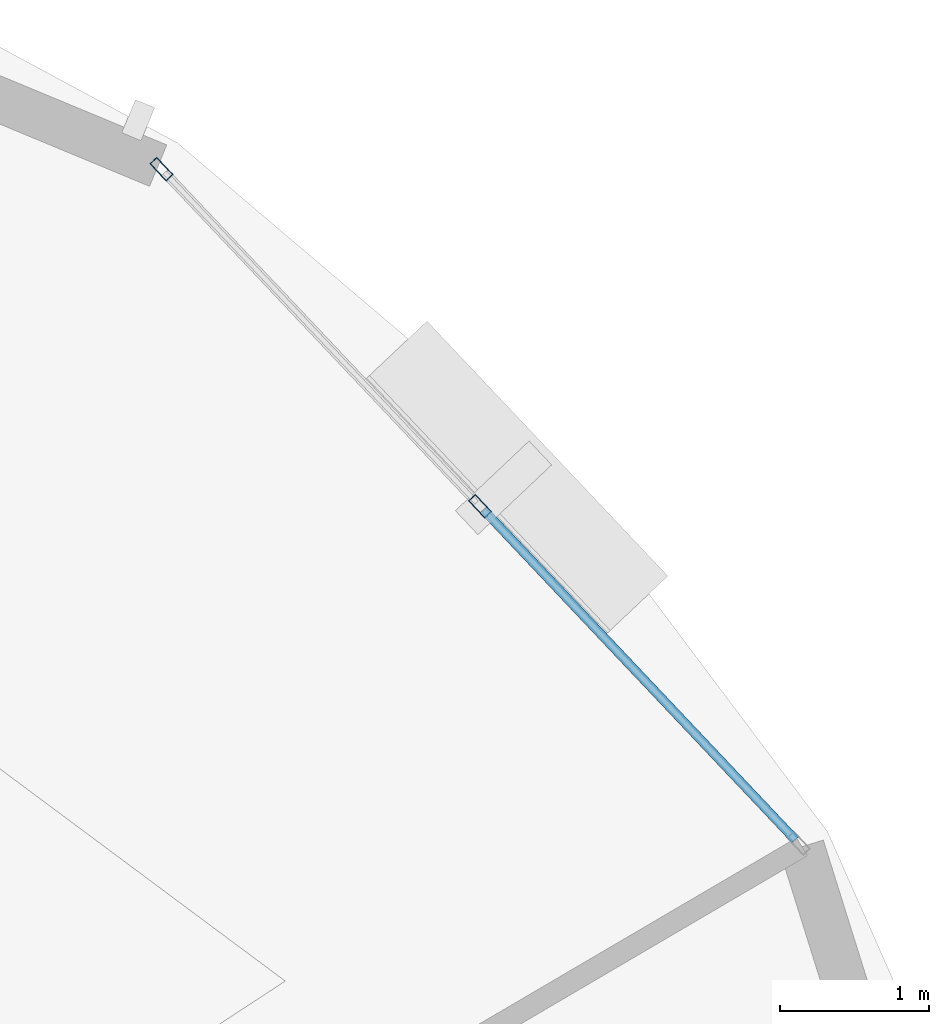
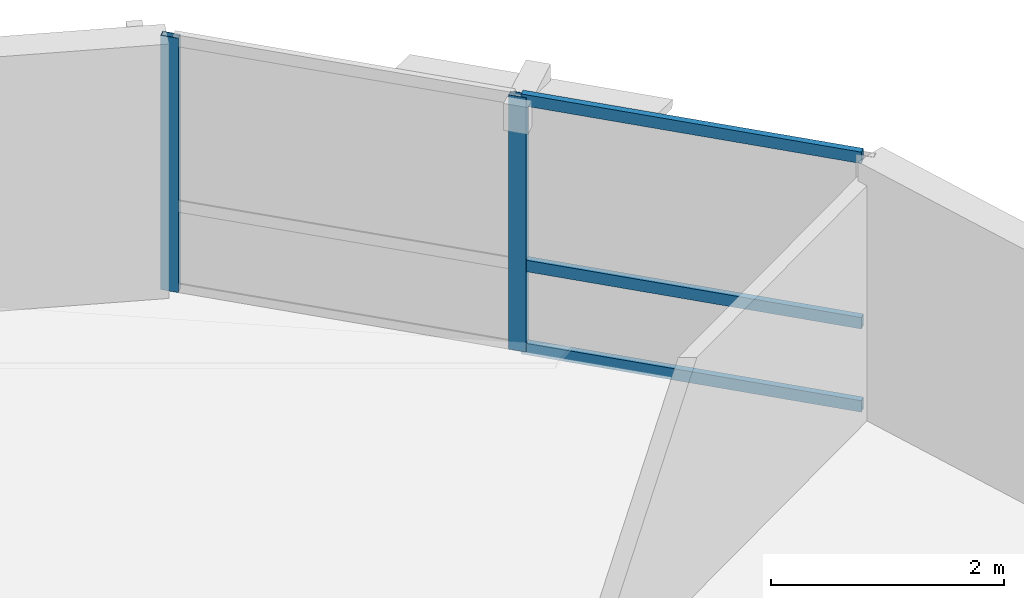
# One storey, part 8 of 14: 5 members, 1 element without a shape of its own.
"""IFC4 building model written with IfcOpenShell, lengths in metres."""

from ifc_helpers import new_model, si_unit, direction, frame, origin, origin_2d, place, context, subcontext, project, spatial, hollow_rectangle, extrude, material, layer, layer_set, material_profile, profile_set, type_object, element, aggregate, save


model = new_model("IFC4")

# Units and contexts
model_context = context("Model", 3, precision=1e-05, world=origin(), true_north=direction((0.0, 1.0)))
body_context = subcontext(model_context, "Body", "Model", "MODEL_VIEW")
ifc_project = project(units=[si_unit("LENGTHUNIT", "METRE"), si_unit("AREAUNIT", "SQUARE_METRE"), si_unit("VOLUMEUNIT", "CUBIC_METRE"), si_unit("PLANEANGLEUNIT", "RADIAN"), si_unit("MASSUNIT", "GRAM", prefix="KILO"), si_unit("THERMODYNAMICTEMPERATUREUNIT", "KELVIN"), si_unit("POWERUNIT", "WATT")], contexts=[model_context])

# Site, building, storey
site_placement = place(None, origin())
site = spatial("IfcSite", under=ifc_project, at=site_placement, CompositionType="ELEMENT")
building_placement = place(site_placement, origin())
building = spatial("IfcBuilding", under=site, at=building_placement, Name="Ocrelia Relay Tower", CompositionType="ELEMENT")
storey_placement = place(building_placement, frame((0.0, 0.0, 162.800048828125)))
storey = spatial("IfcBuildingStorey", under=building, at=storey_placement, Name="L38", CompositionType="ELEMENT", Elevation=162.800048828125)

# Curtain wall, members
ifc_material_1 = material(Name="Aluminium and solar-control low-E glass", Category="aluminium")
ifc_layer = layer(ifc_material_1, 0.179931640625, Name="Aluminium and solar-control low-E glass")
ifc_layer_set = layer_set([ifc_layer], Name="Aluminium and solar-control low-E glass")
curtain_wall_type = type_object("IfcCurtainWallType", Name="CW-SYS-Z3-CLOU", PredefinedType="NOTDEFINED", material=ifc_layer_set)
curtain_wall_placement = place(storey_placement, origin())
curtain_wall = element("IfcCurtainWall", 1, at=curtain_wall_placement, inside=storey, type_object=curtain_wall_type, Name="L38 Elliptical Tower Curtain Wall Bay 01", PredefinedType="NOTDEFINED")
ifc_material_2 = material(Name="Anodised bronze aluminium", Category="aluminium")
ifc_material_profile_1 = material_profile(ifc_material_2, hollow_rectangle(XDim=0.06494140625, YDim=0.159912109375, WallThickness=0.0048828125, at=origin_2d()), Name="CW-MUL-160x65")
ifc_profile_set_1 = profile_set([ifc_material_profile_1], Name="Anodised bronze aluminium")
member_type_1 = type_object("IfcMemberType", Name="CW-SYS-Z3-CLOU-MUL", PredefinedType="MULLION", material=ifc_profile_set_1)
member_1_placement = place(storey_placement, frame((52.025146484375, 40.124267578125, 0.0), z_axis=(0.0, 0.0, 1.0), x_axis=(-0.726807863727, -0.686840832526, 0.0)))
member_1 = element("IfcMember", 2, at=member_1_placement, type_object=member_type_1, Name="CW-Z3 mullion 2", PredefinedType="MULLION", context=body_context, shape_type="SweptSolid", body=[
    extrude(hollow_rectangle(XDim=0.06494140625, YDim=0.159912109375, WallThickness=0.0048828125, at=origin_2d()), origin(), (0.0, 0.0, 1.0), 2.659912109375),
])
member_2_placement = place(storey_placement, frame((49.889892578125, 42.3837890625, 0.0), z_axis=(0.0, 0.0, 1.0), x_axis=(-0.726807863727, -0.686840832526, 0.0)))
member_2 = element("IfcMember", 3, at=member_2_placement, type_object=member_type_1, Name="CW-Z3 mullion 3", PredefinedType="MULLION", context=body_context, shape_type="SweptSolid", body=[
    extrude(hollow_rectangle(XDim=0.06494140625, YDim=0.159912109375, WallThickness=0.0048828125, at=origin_2d()), origin(), (0.0, 0.0, 1.0), 2.659912109375),
])
ifc_material_profile_2 = material_profile(ifc_material_2, hollow_rectangle(XDim=0.06005859375, YDim=0.1201171875, WallThickness=0.0048828125, at=origin_2d()), Name="CW-TRN-120x60")
ifc_profile_set_2 = profile_set([ifc_material_profile_2], Name="Anodised bronze aluminium")
member_type_2 = type_object("IfcMemberType", Name="CW-SYS-Z3-CLOU-TRN", PredefinedType="USERDEFINED", material=ifc_profile_set_2)
member_3_placement = place(storey_placement, frame((54.13818359375, 37.888427734375, 0.030029296875), z_axis=(-0.686811924222, 0.72683518128, 0.0), x_axis=(-0.72683518128, -0.686811924222, 0.0)))
member_3 = element("IfcMember", 4, at=member_3_placement, type_object=member_type_2, Name="CW-Z3 transom 1.1", ObjectType="TRANSOM", PredefinedType="USERDEFINED", context=body_context, shape_type="SweptSolid", body=[
    extrude(hollow_rectangle(XDim=0.06005859375, YDim=0.1201171875, WallThickness=0.0048828125, at=origin_2d()), origin(), (0.0, 0.0, 1.0), 3.0439453125),
])
member_4_placement = place(storey_placement, frame((54.13818359375, 37.888427734375, 0.89990234375), z_axis=(-0.686811924222, 0.72683518128, 0.0), x_axis=(-0.72683518128, -0.686811924222, 0.0)))
member_4 = element("IfcMember", 5, at=member_4_placement, type_object=member_type_2, Name="CW-Z3 transom 1.2", ObjectType="TRANSOM", PredefinedType="USERDEFINED", context=body_context, shape_type="SweptSolid", body=[
    extrude(hollow_rectangle(XDim=0.06005859375, YDim=0.1201171875, WallThickness=0.0048828125, at=origin_2d()), origin(), (0.0, 0.0, 1.0), 3.0439453125),
])
member_5_placement = place(storey_placement, frame((54.13818359375, 37.888427734375, 2.6298828125), z_axis=(-0.686811924222, 0.72683518128, 0.0), x_axis=(-0.72683518128, -0.686811924222, 0.0)))
member_5 = element("IfcMember", 6, at=member_5_placement, type_object=member_type_2, Name="CW-Z3 transom 1.3", ObjectType="TRANSOM", PredefinedType="USERDEFINED", context=body_context, shape_type="SweptSolid", body=[
    extrude(hollow_rectangle(XDim=0.06005859375, YDim=0.1201171875, WallThickness=0.0048828125, at=origin_2d()), origin(), (0.0, 0.0, 1.0), 3.0439453125),
])
aggregate(curtain_wall, [member_1, member_2, member_3, member_4, member_5])

save(model, "model.ifc")
